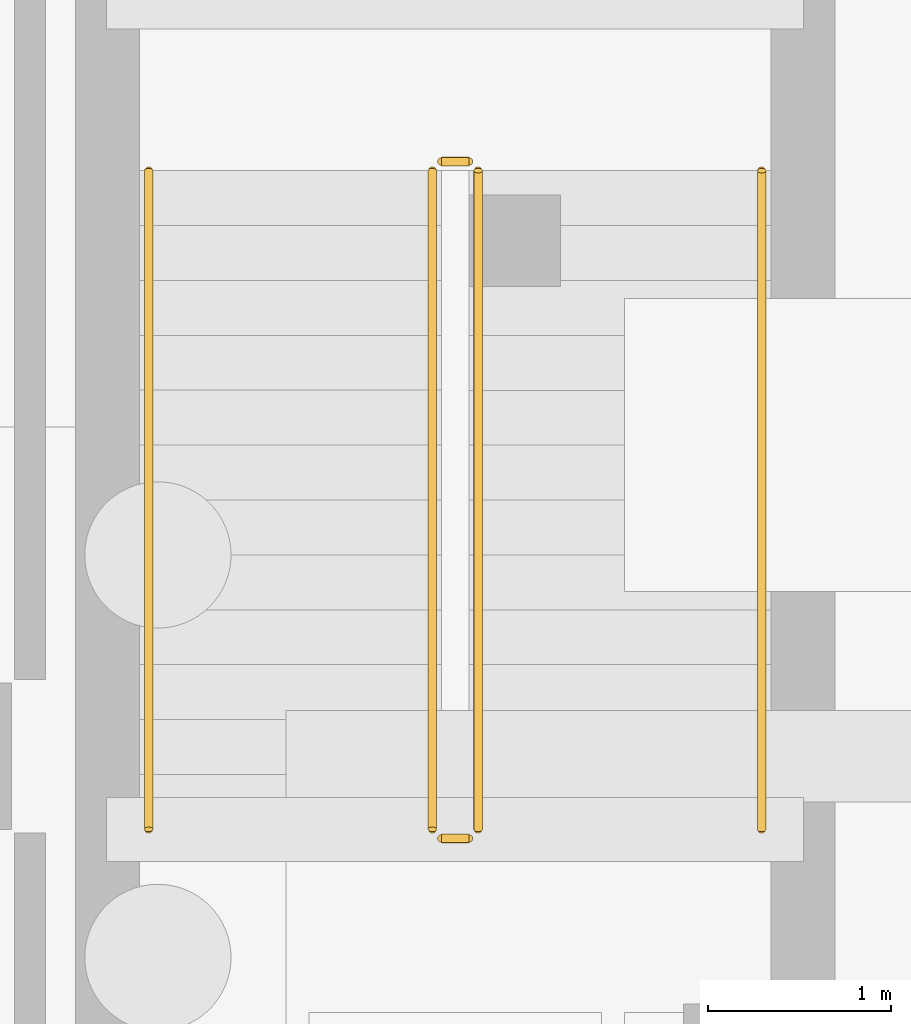
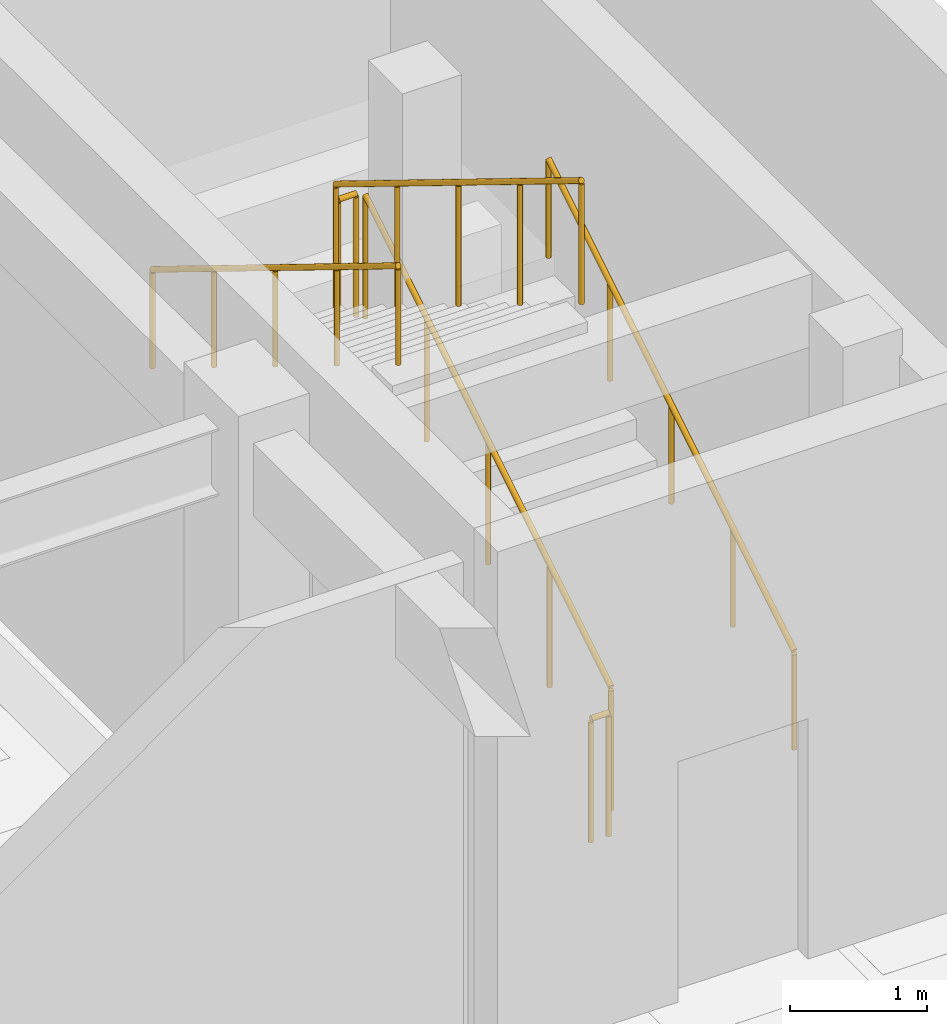
# One storey, part 44 of 46: 6 railings.
"""IFC4 building model written with IfcOpenShell, lengths in metres."""

from ifc_helpers import new_model, si_unit, direction, frame, origin, origin_2d, place, context, subcontext, project, spatial, circle, extrude, material, material_profile, profile_set, type_object, element, save


model = new_model("IFC4")

# Units and contexts
model_context = context("Model", 3, precision=1e-05, world=origin(), true_north=direction((0.0, 1.0)))
body_context = subcontext(model_context, "Body", "Model", "MODEL_VIEW")
ifc_project = project(units=[si_unit("LENGTHUNIT", "METRE"), si_unit("AREAUNIT", "SQUARE_METRE"), si_unit("VOLUMEUNIT", "CUBIC_METRE"), si_unit("PLANEANGLEUNIT", "RADIAN"), si_unit("MASSUNIT", "GRAM", prefix="KILO")], contexts=[model_context])

# Site, building, storey
site_placement = place(None, origin())
site = spatial("IfcSite", under=ifc_project, at=site_placement, CompositionType="ELEMENT")
building_placement = place(site_placement, origin())
building = spatial("IfcBuilding", under=site, at=building_placement, Name="Tazoul Stagehouse", CompositionType="ELEMENT")
storey_placement = place(building_placement, frame((0.0, 0.0, -4.800048828125)))
storey = spatial("IfcBuildingStorey", under=building, at=storey_placement, Name="B1", CompositionType="ELEMENT", Elevation=-4.800048828125)

# Railings
ifc_material = material(Name="Brushed Stainless Steel 316L", Category="steel")
ifc_material_profile_1 = material_profile(ifc_material, circle(Radius=0.02392578125, at=origin_2d()), Name="SS RAIL D48")
ifc_profile_set_1 = profile_set([ifc_material_profile_1], Name="Brushed Stainless Steel 316L")
railing_type_1 = type_object("IfcRailingType", Name="Architectural Guardrail H1120", PredefinedType="GUARDRAIL", material=ifc_profile_set_1)
railing_1_placement = place(storey_placement, frame((153.449951171875, 51.39990234375, 0.1845703125)))
element("IfcRailing", 1, at=railing_1_placement, inside=storey, type_object=railing_type_1, Name="B1 ST-B7 stair guard 1", PredefinedType="GUARDRAIL", context=body_context, shape_type="SweptSolid", body=[
    extrude(circle(Radius=0.02392578125, at=origin_2d()), frame((0.0, 0.0, 1.09619140625), z_axis=(0.0, 0.851644435552, 0.524119981868), x_axis=(-1.0, 0.0, 0.0)), (0.0, 0.0, 1.0), 4.227294921875),
    extrude(circle(Radius=0.02099609375, at=origin_2d()), origin(), (0.0, 0.0, 1.0), 1.072021484375),
    extrude(circle(Radius=0.02099609375, at=origin_2d()), frame((0.0, 0.89990234375, 0.553955078125)), (0.0, 0.0, 1.0), 1.072021484375),
    extrude(circle(Radius=0.02099609375, at=origin_2d()), frame((0.0, 1.800048828125, 1.10791015625)), (0.0, 0.0, 1.0), 1.072021484375),
    extrude(circle(Radius=0.02099609375, at=origin_2d()), frame((0.0, 2.7001953125, 1.66162109375)), (0.0, 0.0, 1.0), 1.072021484375),
    extrude(circle(Radius=0.02099609375, at=origin_2d()), frame((0.0, 3.60009765625, 2.215576171875)), (0.0, 0.0, 1.0), 1.072021484375),
])
railing_2_placement = place(storey_placement, frame((153.39990234375, 55.050048828125, 2.400146484375)))
element("IfcRailing", 2, at=railing_2_placement, inside=storey, type_object=railing_type_1, Name="B1 ST-B7 stair guard 2", PredefinedType="GUARDRAIL", context=body_context, shape_type="SweptSolid", body=[
    extrude(circle(Radius=0.02392578125, at=origin_2d()), frame((0.0, 0.0, 1.09619140625), z_axis=(-1.0, 0.0, 0.0), x_axis=(0.0, -1.0, 0.0)), (0.0, 0.0, 1.0), 0.14990234375),
    extrude(circle(Radius=0.02099609375, at=origin_2d()), origin(), (0.0, 0.0, 1.0), 1.072021484375),
    extrude(circle(Radius=0.02099609375, at=origin_2d()), frame((-0.14990234375, 0.0, 0.0)), (0.0, 0.0, 1.0), 1.072021484375),
])
railing_3_placement = place(storey_placement, frame((153.199951171875, 55.0, 2.584716796875)))
element("IfcRailing", 3, at=railing_3_placement, inside=storey, type_object=railing_type_1, Name="B1 ST-B7 stair guard 3", PredefinedType="GUARDRAIL", context=body_context, shape_type="SweptSolid", body=[
    extrude(circle(Radius=0.02392578125, at=origin_2d()), frame((0.0, 0.0, 1.09619140625), z_axis=(0.0, -0.85167021472, 0.524078090897), x_axis=(1.0, 0.0, 0.0)), (0.0, 0.0, 1.0), 4.22705078125),
    extrude(circle(Radius=0.02099609375, at=origin_2d()), origin(), (0.0, 0.0, 1.0), 1.072021484375),
    extrude(circle(Radius=0.02099609375, at=origin_2d()), frame((0.0, -0.89990234375, 0.5537109375)), (0.0, 0.0, 1.0), 1.072021484375),
    extrude(circle(Radius=0.02099609375, at=origin_2d()), frame((0.0, -1.800048828125, 1.107666015625)), (0.0, 0.0, 1.0), 1.072021484375),
    extrude(circle(Radius=0.02099609375, at=origin_2d()), frame((0.0, -2.7001953125, 1.66162109375)), (0.0, 0.0, 1.0), 1.072021484375),
    extrude(circle(Radius=0.02099609375, at=origin_2d()), frame((0.0, -3.60009765625, 2.21533203125)), (0.0, 0.0, 1.0), 1.072021484375),
])
railing_4_placement = place(storey_placement, frame((153.39990234375, 51.35009765625, 0.0)))
element("IfcRailing", 4, at=railing_4_placement, inside=storey, type_object=railing_type_1, Name="B1 ST-B7 stair guard 4", PredefinedType="GUARDRAIL", context=body_context, shape_type="SweptSolid", body=[
    extrude(circle(Radius=0.02392578125, at=origin_2d()), frame((0.0, 0.0, 1.09619140625), z_axis=(-1.0, 0.0, 0.0), x_axis=(0.0, -1.0, 0.0)), (0.0, 0.0, 1.0), 0.14990234375),
    extrude(circle(Radius=0.02099609375, at=origin_2d()), origin(), (0.0, 0.0, 1.0), 1.072021484375),
    extrude(circle(Radius=0.02099609375, at=origin_2d()), frame((-0.14990234375, 0.0, 0.0)), (0.0, 0.0, 1.0), 1.072021484375),
])
ifc_material_profile_2 = material_profile(ifc_material, circle(Radius=0.02099609375, at=origin_2d()), Name="SS HANDRAIL D42")
ifc_profile_set_2 = profile_set([ifc_material_profile_2], Name="Brushed Stainless Steel 316L")
railing_type_2 = type_object("IfcRailingType", Name="Continuous Stair Handrail H900", PredefinedType="HANDRAIL", material=ifc_profile_set_2)
railing_5_placement = place(storey_placement, frame((155.0, 51.39990234375, 0.1845703125)))
element("IfcRailing", 5, at=railing_5_placement, inside=storey, type_object=railing_type_2, Name="B1 ST-B7 stair handrail 1", PredefinedType="HANDRAIL", context=body_context, shape_type="SweptSolid", body=[
    extrude(circle(Radius=0.02392578125, at=origin_2d()), frame((0.0, 0.0, 0.8759765625), z_axis=(0.0, 0.851644435552, 0.524119981868), x_axis=(-1.0, 0.0, 0.0)), (0.0, 0.0, 1.0), 4.227294921875),
    extrude(circle(Radius=0.02099609375, at=origin_2d()), origin(), (0.0, 0.0, 1.0), 0.851806640625),
    extrude(circle(Radius=0.02099609375, at=origin_2d()), frame((0.0, 0.89990234375, 0.553955078125)), (0.0, 0.0, 1.0), 0.851806640625),
    extrude(circle(Radius=0.02099609375, at=origin_2d()), frame((0.0, 1.800048828125, 1.10791015625)), (0.0, 0.0, 1.0), 0.851806640625),
    extrude(circle(Radius=0.02099609375, at=origin_2d()), frame((0.0, 2.7001953125, 1.66162109375)), (0.0, 0.0, 1.0), 0.851806640625),
    extrude(circle(Radius=0.02099609375, at=origin_2d()), frame((0.0, 3.60009765625, 2.215576171875)), (0.0, 0.0, 1.0), 0.851806640625),
])
railing_6_placement = place(storey_placement, frame((151.64990234375, 55.0, 2.584716796875)))
element("IfcRailing", 6, at=railing_6_placement, inside=storey, type_object=railing_type_2, Name="B1 ST-B7 stair handrail 2", PredefinedType="HANDRAIL", context=body_context, shape_type="SweptSolid", body=[
    extrude(circle(Radius=0.02392578125, at=origin_2d()), frame((0.0, 0.0, 0.8759765625), z_axis=(0.0, -0.85167021472, 0.524078090897), x_axis=(1.0, 0.0, 0.0)), (0.0, 0.0, 1.0), 4.22705078125),
    extrude(circle(Radius=0.02099609375, at=origin_2d()), origin(), (0.0, 0.0, 1.0), 0.851806640625),
    extrude(circle(Radius=0.02099609375, at=origin_2d()), frame((0.0, -0.89990234375, 0.5537109375)), (0.0, 0.0, 1.0), 0.851806640625),
    extrude(circle(Radius=0.02099609375, at=origin_2d()), frame((0.0, -1.800048828125, 1.107666015625)), (0.0, 0.0, 1.0), 0.851806640625),
    extrude(circle(Radius=0.02099609375, at=origin_2d()), frame((0.0, -2.7001953125, 1.66162109375)), (0.0, 0.0, 1.0), 0.851806640625),
    extrude(circle(Radius=0.02099609375, at=origin_2d()), frame((0.0, -3.60009765625, 2.21533203125)), (0.0, 0.0, 1.0), 0.851806640625),
])

save(model, "model.ifc")
